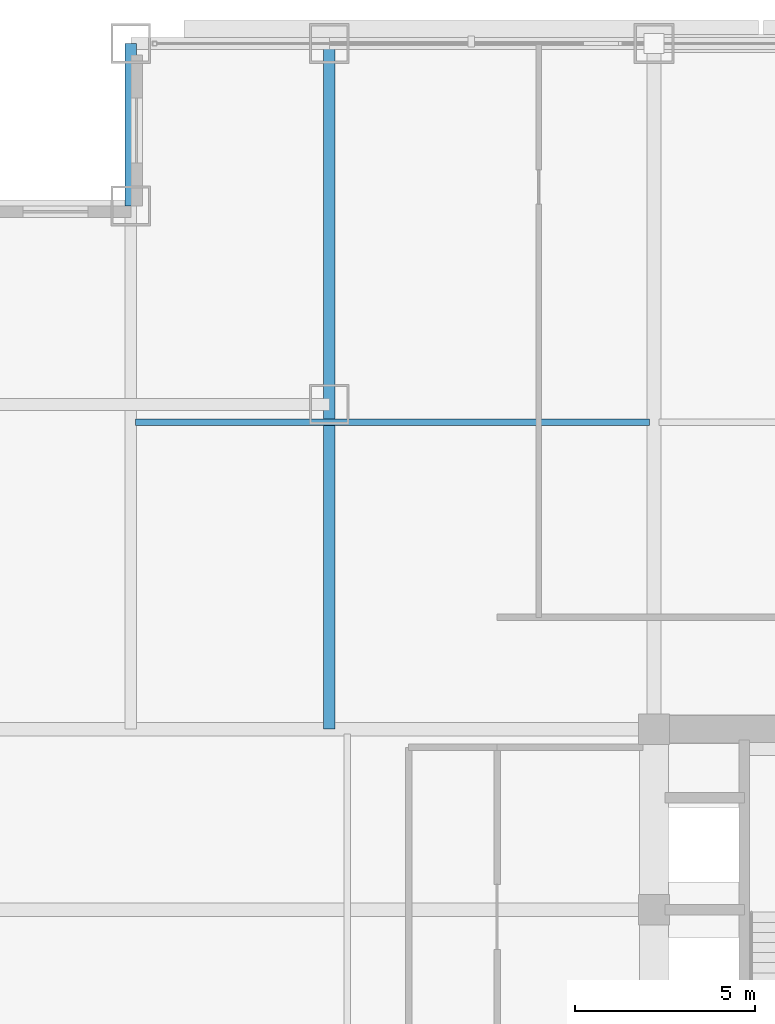
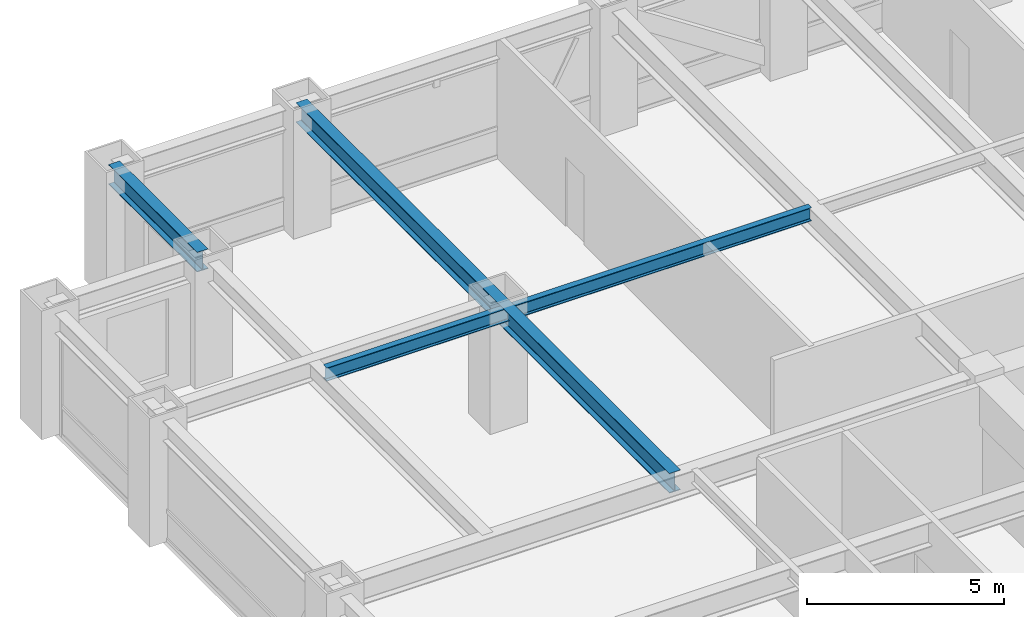
# One storey, part 13 of 28: 3 beams.
"""IFC4 building model written with IfcOpenShell, lengths in metres."""

import ifcopenshell
import ifcopenshell.guid

model = None  # the IFC model being written
_history = None  # IfcOwnerHistory: only IFC2X3 demands one
_inside = {}  # id of a spatial element -> (the spatial element, [elements in it])
_under = {}  # id of a project, library or spatial element -> (it, [spatial elements below it])
_declared = {}  # id of a project -> (the project, [libraries it declares])
_typed = {}  # id of a type object -> (the type object, [elements of that type])
_made_of = {}  # id of a material, layer set ... -> (it, [elements and type objects made of it])


def new_model(schema):
    """Start an empty IFC model of exactly this schema.

    Asked for "IFC4X3", IfcOpenShell would pick the latest addendum, in which some entities
    have other attributes; the version numbers below select the first issue.
    IFC2X3 requires an IfcOwnerHistory on every rooted entity: one is made here for all.
    """
    global model, _history
    if schema == "IFC4X3":
        model = ifcopenshell.file(schema_version=(4, 3, 0, 0))
    else:
        model = ifcopenshell.file(schema=schema)
    _inside.clear()
    _under.clear()
    _declared.clear()
    _typed.clear()
    _made_of.clear()
    _history = None
    if model.schema == "IFC2X3":
        org = make("IfcOrganization", Name="unknown")
        user = make(
            "IfcPersonAndOrganization",
            ThePerson=make("IfcPerson", FamilyName="unknown"),
            TheOrganization=org,
        )
        app = make(
            "IfcApplication",
            ApplicationDeveloper=org,
            Version="unknown",
            ApplicationFullName="unknown",
            ApplicationIdentifier="unknown",
        )
        _history = make(
            "IfcOwnerHistory",
            OwningUser=user,
            OwningApplication=app,
            ChangeAction="ADDED",
            CreationDate=0,
        )
    return model


def make(cls, **values):
    """One entity of the class cls with the attributes given. An attribute that is None is left unset."""
    return model.create_entity(
        cls, **{name: value for name, value in values.items() if value is not None}
    )


def rooted(cls, **values):
    """An entity with a GlobalId (a new one), such as an element, a storey or a relation."""
    return make(cls, GlobalId=ifcopenshell.guid.new(), OwnerHistory=_history, **values)


def si_unit(unit_type, name, prefix=None):
    """IfcSIUnit, for example si_unit("LENGTHUNIT", "METRE", prefix="MILLI")."""
    return make("IfcSIUnit", UnitType=unit_type, Prefix=prefix, Name=name)


def assignment(units):
    """IfcUnitAssignment: the units of a project."""
    return None if units is None else make("IfcUnitAssignment", Units=units)


def point(xyz):
    """IfcCartesianPoint."""
    return None if xyz is None else make("IfcCartesianPoint", Coordinates=xyz)


def direction(xyz):
    """IfcDirection."""
    return None if xyz is None else make("IfcDirection", DirectionRatios=xyz)


def frame(location, z_axis=None, x_axis=None):
    """IfcAxis2Placement3D, a coordinate frame: its origin and axes. An axis left out is left unset."""
    return make(
        "IfcAxis2Placement3D",
        Location=point(location),
        Axis=direction(z_axis),
        RefDirection=direction(x_axis),
    )


def frame_2d(location, x_axis=None):
    """IfcAxis2Placement2D, a coordinate frame in the plane: its origin and x axis."""
    return make(
        "IfcAxis2Placement2D", Location=point(location), RefDirection=direction(x_axis)
    )


def origin():
    """The frame at (0, 0, 0) with its axes left unset."""
    return frame((0.0, 0.0, 0.0))


def origin_2d():
    """The frame at (0, 0) in the plane with its x axis left unset."""
    return frame_2d((0.0, 0.0))


def place(relative_to, where):
    """IfcLocalPlacement: puts the frame where relative to a parent placement (None: the world)."""
    return make(
        "IfcLocalPlacement", PlacementRelTo=relative_to, RelativePlacement=where
    )


def context(
    kind, dimensions, precision=None, world=None, true_north=None, identifier=None
):
    """IfcGeometricRepresentationContext, for example the 3D "Model" context."""
    return make(
        "IfcGeometricRepresentationContext",
        ContextIdentifier=identifier,
        ContextType=kind,
        CoordinateSpaceDimension=dimensions,
        Precision=precision,
        WorldCoordinateSystem=world,
        TrueNorth=true_north,
    )


def subcontext(parent, identifier, kind, view, scale=None):
    """IfcGeometricRepresentationSubContext, for example "Body" below "Model"."""
    return make(
        "IfcGeometricRepresentationSubContext",
        ContextIdentifier=identifier,
        ContextType=kind,
        ParentContext=parent,
        TargetScale=scale,
        TargetView=view,
    )


def project(units=None, contexts=None):
    """IfcProject with its units and contexts."""
    return rooted(
        "IfcProject",
        Name="project",
        RepresentationContexts=contexts,
        UnitsInContext=assignment(units),
    )


def spatial(cls, under=None, at=None, **own):
    """A site, building, storey or space (cls), placed at a placement, below another one or the project."""
    s = rooted(cls, ObjectPlacement=at, **own)
    if under is not None:
        _under.setdefault(under.id(), (under, []))[1].append(s)
    return s


def profile(cls, at=None, kind="AREA", **sizes):
    """A parametric profile (cls). Its sizes go by their IFC names, for example OverallWidth=200.0."""
    return make(cls, ProfileType=kind, Position=at, **sizes)


def i_section(**sizes):
    """IfcIShapeProfileDef."""
    return profile("IfcIShapeProfileDef", **sizes)


def extrude(swept, where, along, depth):
    """IfcExtrudedAreaSolid: the profile swept, set in the frame where, extruded along a direction by depth."""
    return make(
        "IfcExtrudedAreaSolid",
        SweptArea=swept,
        Position=where,
        ExtrudedDirection=direction(along),
        Depth=depth,
    )


def shape(context_of_items, identifier, shape_type, items):
    """IfcShapeRepresentation: the items that make up one representation, for example the "Body"."""
    return make(
        "IfcShapeRepresentation",
        ContextOfItems=context_of_items,
        RepresentationIdentifier=identifier,
        RepresentationType=shape_type,
        Items=items,
    )


def source(mapping_origin, context_of_items, identifier, shape_type, items):
    """IfcRepresentationMap: a shape defined once, which mapped items show again and again."""
    return make(
        "IfcRepresentationMap",
        MappingOrigin=mapping_origin,
        MappedRepresentation=shape(context_of_items, identifier, shape_type, items),
    )


def transform(
    local_origin,
    x_axis=None,
    y_axis=None,
    z_axis=None,
    scale=None,
    scale2=None,
    scale3=None,
    uniform=True,
):
    """IfcCartesianTransformationOperator3D, or its non-uniform kind. x_axis, y_axis, z_axis: its Axis1, 2, 3."""
    if uniform:
        return make(
            "IfcCartesianTransformationOperator3D",
            Axis1=direction(x_axis),
            Axis2=direction(y_axis),
            LocalOrigin=point(local_origin),
            Scale=scale,
            Axis3=direction(z_axis),
        )
    return make(
        "IfcCartesianTransformationOperator3DnonUniform",
        Axis1=direction(x_axis),
        Axis2=direction(y_axis),
        LocalOrigin=point(local_origin),
        Scale=scale,
        Axis3=direction(z_axis),
        Scale2=scale2,
        Scale3=scale3,
    )


def mapped(mapping_source, mapping_target):
    """IfcMappedItem: shows the shape of a source again, moved by a transform."""
    return make(
        "IfcMappedItem", MappingSource=mapping_source, MappingTarget=mapping_target
    )


def material(Name=None, Category=None):
    """IfcMaterial."""
    return make("IfcMaterial", Name=Name, Category=Category)


def material_profile(
    of_material, cross_section, Name=None, Category=None, Priority=None
):
    """IfcMaterialProfile: a cross section and its material."""
    return make(
        "IfcMaterialProfile",
        Name=Name,
        Material=of_material,
        Profile=cross_section,
        Priority=Priority,
        Category=Category,
    )


def profile_set(profiles, Name=None, composite=None):
    """IfcMaterialProfileSet."""
    return make(
        "IfcMaterialProfileSet",
        Name=Name,
        MaterialProfiles=profiles,
        CompositeProfile=composite,
    )


def made_of(thing, what):
    """Note that an element or type object is made of a material, layer set ...; save() writes the relation."""
    if what is not None:
        _made_of.setdefault(what.id(), (what, []))[1].append(thing)
    return thing


def type_object(cls, material=None, **own):
    """A type object (cls), such as IfcWallType, which elements share."""
    return made_of(rooted(cls, **own), material)


def element(
    cls,
    number,
    at=None,
    inside=None,
    cuts=None,
    type_object=None,
    material=None,
    context=None,
    identifier="Body",
    shape_type=None,
    held_by="IfcProductDefinitionShape",
    body=None,
    shapes=None,
    **own,
):
    """One element of the class cls, such as IfcWall. Its Tag is "e" and its number.

    at: its placement. inside: the storey or other place that contains it. cuts: it is an
    opening in that element (IfcRelVoidsElement). A single representation is given by context,
    identifier, shape_type and body (its items); several are given by shapes. held_by: the class
    of the entity that holds the representations. save() writes the other relations.
    """
    e = rooted(cls, Tag="e%d" % number, ObjectPlacement=at, **own)
    if body is not None:
        shapes = [shape(context, identifier, shape_type, body)]
    if shapes is not None:
        e.Representation = make(held_by, Representations=shapes)
    if inside is not None:
        _inside.setdefault(inside.id(), (inside, []))[1].append(e)
    if cuts is not None:
        rooted(
            "IfcRelVoidsElement", RelatingBuildingElement=cuts, RelatedOpeningElement=e
        )
    if type_object is not None:
        _typed.setdefault(type_object.id(), (type_object, []))[1].append(e)
    return made_of(e, material)


def aggregate(whole, parts):
    """IfcRelAggregates: a whole, such as a stair, and the parts it consists of."""
    return rooted("IfcRelAggregates", RelatingObject=whole, RelatedObjects=parts)


def save(model, path):
    """Write the relations noted so far, then the file.

    IfcRelAggregates (storeys below a building ...), IfcRelContainedInSpatialStructure (elements
    in a storey), IfcRelDefinesByType, IfcRelAssociatesMaterial and IfcRelDeclares: one each for
    every whole, place, type object, material and project.
    """
    for whole, parts in _under.values():
        aggregate(whole, parts)
    for where, things in _inside.values():
        rooted(
            "IfcRelContainedInSpatialStructure",
            RelatedElements=things,
            RelatingStructure=where,
        )
    for kind, things in _typed.values():
        rooted("IfcRelDefinesByType", RelatedObjects=things, RelatingType=kind)
    for what, things in _made_of.values():
        rooted("IfcRelAssociatesMaterial", RelatedObjects=things, RelatingMaterial=what)
    for by, libraries in _declared.values():
        rooted("IfcRelDeclares", RelatingContext=by, RelatedDefinitions=libraries)
    model.write(path)


model = new_model("IFC4")

# Units and contexts
model_context = context("Model", 3, precision=1e-05, world=origin(), true_north=direction((0.0, 1.0)))
body_context = subcontext(model_context, "Body", "Model", "MODEL_VIEW")
ifc_project = project(units=[si_unit("LENGTHUNIT", "METRE"), si_unit("AREAUNIT", "SQUARE_METRE"), si_unit("VOLUMEUNIT", "CUBIC_METRE"), si_unit("PLANEANGLEUNIT", "RADIAN"), si_unit("MASSUNIT", "GRAM", prefix="KILO")], contexts=[model_context])

# Site, building, storey
site_placement = place(None, origin())
site = spatial("IfcSite", under=ifc_project, at=site_placement, CompositionType="ELEMENT")
building_placement = place(site_placement, origin())
building = spatial("IfcBuilding", under=site, at=building_placement, Name="Khorayat Bourse Tower", CompositionType="ELEMENT")
storey_placement = place(building_placement, frame((0.0, 0.0, 187.10009765625)))
storey = spatial("IfcBuildingStorey", under=building, at=storey_placement, Name="L43", CompositionType="ELEMENT", Elevation=187.10009765625)

# Beams
ifc_material = material(Name="Steel ASTM A992 Grade 50", Category="steel")
ifc_material_profile_1 = material_profile(ifc_material, i_section(OverallWidth=0.324951171875, OverallDepth=0.615966796875, WebThickness=0.013916015625, FlangeThickness=0.021484375, FilletRadius=0.01611328125, at=origin_2d()), Name="W610X174")
ifc_profile_set_1 = profile_set([ifc_material_profile_1], Name="Steel ASTM A992 Grade 50")
beam_type_1 = type_object("IfcBeamType", Name="BM-GIRD-610", PredefinedType="BEAM", material=ifc_profile_set_1)
shared_shape_1 = source(origin(), body_context, "Body", "SweptSolid", [
    extrude(i_section(OverallWidth=0.324951171875, OverallDepth=0.615966796875, WebThickness=0.013916015625, FlangeThickness=0.021484375, FilletRadius=0.01611328125, at=origin_2d()), origin(), (0.0, 0.0, 1.0), 19.0),
])
beam_1_placement = place(storey_placement, frame((-20.0, 11.0, 3.471923828125), z_axis=(0.0, 1.0, 0.0), x_axis=(-1.0, 0.0, 0.0)))
element("IfcBeam", 1, at=beam_1_placement, inside=storey, type_object=beam_type_1, Name="L43 BM-GIRD-610 BM-L43-CNRY-085", PredefinedType="BEAM", context=body_context, shape_type="MappedRepresentation", body=[
    mapped(shared_shape_1, transform((0.0, 0.0, 0.0), scale=1.0)),
])
ifc_material_profile_2 = material_profile(ifc_material, i_section(OverallWidth=0.180908203125, OverallDepth=0.4169921875, WebThickness=0.010986328125, FlangeThickness=0.018310546875, FilletRadius=0.011962890625, at=origin_2d()), Name="W410X85")
ifc_profile_set_2 = profile_set([ifc_material_profile_2], Name="Steel ASTM A992 Grade 50")
beam_type_2 = type_object("IfcBeamType", Name="BM-JOIST-410", PredefinedType="JOIST", material=ifc_profile_set_2)
shared_shape_2 = source(origin(), body_context, "Body", "SweptSolid", [
    extrude(i_section(OverallWidth=0.180908203125, OverallDepth=0.4169921875, WebThickness=0.010986328125, FlangeThickness=0.018310546875, FilletRadius=0.011962890625, at=origin_2d()), origin(), (0.0, 0.0, 1.0), 14.240234375),
])
beam_2_placement = place(storey_placement, frame((-25.3701171875, 19.5, 3.5712890625), z_axis=(1.0, 0.0, 0.0), x_axis=(0.0, 1.0, 0.0)))
element("IfcBeam", 2, at=beam_2_placement, inside=storey, type_object=beam_type_2, Name="L43 BM-JOIST-410 BM-L43-JSTX-099", PredefinedType="JOIST", context=body_context, shape_type="MappedRepresentation", body=[
    mapped(shared_shape_2, transform((0.0, 0.0, 0.0), scale=1.0)),
])
ifc_material_profile_3 = material_profile(ifc_material, i_section(OverallWidth=0.324951171875, OverallDepth=0.615966796875, WebThickness=0.013916015625, FlangeThickness=0.021484375, FilletRadius=0.01611328125, at=origin_2d()), Name="W610X174")
ifc_profile_set_3 = profile_set([ifc_material_profile_3], Name="Steel ASTM A992 Grade 50")
beam_type_3 = type_object("IfcBeamType", Name="BM-SPAN-610", PredefinedType="SPANDREL", material=ifc_profile_set_3)
shared_shape_3 = source(origin(), body_context, "Body", "SweptSolid", [
    extrude(i_section(OverallWidth=0.324951171875, OverallDepth=0.615966796875, WebThickness=0.013916015625, FlangeThickness=0.021484375, FilletRadius=0.01611328125, at=origin_2d()), origin(), (0.0, 0.0, 1.0), 4.5),
])
beam_3_placement = place(storey_placement, frame((-25.5, 25.5, 3.471923828125), z_axis=(0.0, 1.0, 0.0), x_axis=(-1.0, 0.0, 0.0)))
element("IfcBeam", 3, at=beam_3_placement, inside=storey, type_object=beam_type_3, Name="L43 BM-SPAN-610 BM-L43-SPN-052", PredefinedType="SPANDREL", context=body_context, shape_type="MappedRepresentation", body=[
    mapped(shared_shape_3, transform((0.0, 0.0, 0.0), scale=1.0)),
])

save(model, "model.ifc")
